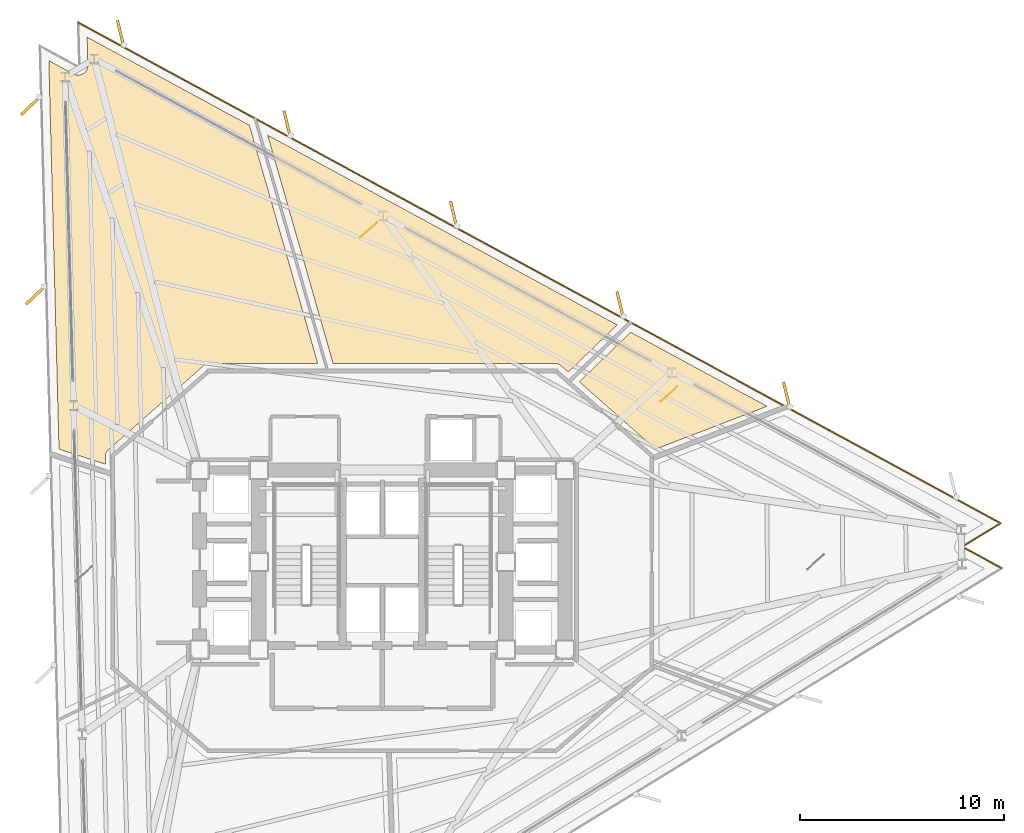
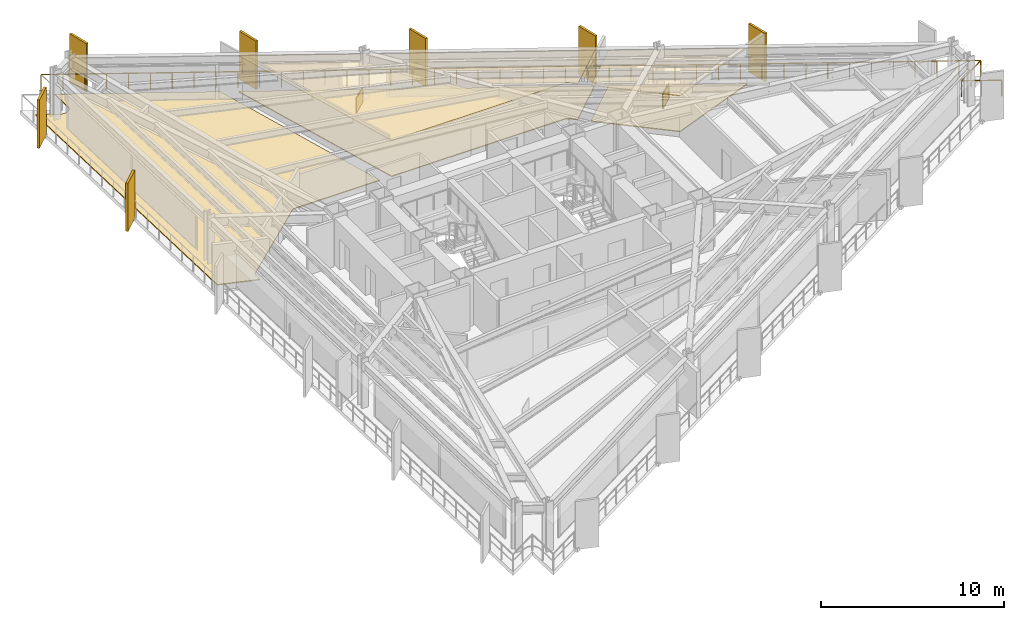
# One storey, part 14 of 14: 7 coverings, 7 shading devices, 1 railing.
"""IFC4 building model written with IfcOpenShell, lengths in metres."""

from ifc_helpers import new_model, si_unit, direction, frame, origin, origin_2d, place, context, subcontext, project, spatial, polyline, rectangle, outline, extrude, material, layer, layer_set, type_object, element, save


model = new_model("IFC4")

# Units and contexts
model_context = context("Model", 3, precision=1e-05, world=origin(), true_north=direction((0.0, 1.0)))
body_context = subcontext(model_context, "Body", "Model", "MODEL_VIEW")
ifc_project = project(units=[si_unit("LENGTHUNIT", "METRE"), si_unit("AREAUNIT", "SQUARE_METRE"), si_unit("VOLUMEUNIT", "CUBIC_METRE"), si_unit("PLANEANGLEUNIT", "RADIAN"), si_unit("MASSUNIT", "GRAM", prefix="KILO")], contexts=[model_context])

# Site, building, storey
site_placement = place(None, origin())
site = spatial("IfcSite", under=ifc_project, at=site_placement, CompositionType="ELEMENT")
building_placement = place(site_placement, origin())
building = spatial("IfcBuilding", under=site, at=building_placement, Name="Rocaltana Carrier Exchange", CompositionType="ELEMENT")
storey_placement = place(building_placement, frame((0.0, 0.0, 25.60009765625)))
storey = spatial("IfcBuildingStorey", under=building, at=storey_placement, Name="L08", CompositionType="ELEMENT", Elevation=25.60009765625)

# Coverings
ifc_material_1 = material(Name="Calcium Sulphate & Aluminium Pedestal", Category="aluminium")
ifc_layer_1 = layer(ifc_material_1, 0.06005859375)
ifc_layer_set_1 = layer_set([ifc_layer_1], Name="Calcium Sulphate & Aluminium Pedestal")
covering_type_1 = type_object("IfcCoveringType", Name="Anti-Static Raised Exchange Access Floor 60", PredefinedType="FLOORING", material=ifc_layer_set_1)
covering_1_placement = place(storey_placement, origin())
element("IfcCovering", 1, at=covering_1_placement, inside=storey, type_object=covering_type_1, Name="L08 Peering Conference Room Finish Floor", PredefinedType="FLOORING", context=body_context, shape_type="SweptSolid", body=[
    extrude(outline(polyline([(13.379638671875, 5.521484375), (9.64794921875, 8.816650390625), (12.16259765625, 11.2451171875), (18.842041015625, 7.618408203125), (13.379638671875, 5.521484375)])), origin(), (0.0, 0.0, 1.0), 0.059814453125),
])
covering_2_placement = place(storey_placement, origin())
element("IfcCovering", 2, at=covering_2_placement, inside=storey, type_object=covering_type_1, Name="L08 Network Operations Office Finish Floor", PredefinedType="FLOORING", context=body_context, shape_type="SweptSolid", body=[
    extrude(outline(polyline([(11.499267578125, 11.605224609375), (9.106689453125, 9.294677734375), (8.73828125, 9.619873046875), (8.727294921875, 9.629150390625), (8.720703125, 9.63427734375), (8.697265625, 9.651123046875), (8.690185546875, 9.655517578125), (8.6650390625, 9.669921875), (8.65771484375, 9.673583984375), (8.631103515625, 9.68505859375), (8.62353515625, 9.68798828125), (8.595947265625, 9.697021484375), (8.587890625, 9.698974609375), (8.5595703125, 9.704833984375), (8.551513671875, 9.706298828125), (8.522705078125, 9.709228515625), (8.514404296875, 9.709716796875), (8.5, 9.7099609375), (-2.409912109375, 9.7099609375), (-5.618408203125, 20.8994140625), (11.499267578125, 11.605224609375)])), origin(), (0.0, 0.0, 1.0), 0.059814453125),
])
covering_3_placement = place(storey_placement, origin())
element("IfcCovering", 3, at=covering_3_placement, inside=storey, type_object=covering_type_1, Name="L08 Quiet Focus Lounge Finish Floor", PredefinedType="FLOORING", context=body_context, shape_type="SweptSolid", body=[
    extrude(outline(polyline([(-16.333984375, 24.54931640625), (-15.131103515625, 23.896484375), (-15.118896484375, 23.889892578125), (-15.100830078125, 23.88134765625), (-15.0751953125, 23.87060546875), (-15.056396484375, 23.86376953125), (-15.02978515625, 23.855712890625), (-15.01025390625, 23.8505859375), (-14.98291015625, 23.84521484375), (-14.96337890625, 23.84228515625), (-14.935546875, 23.839599609375), (-14.91552734375, 23.83837890625), (-14.8876953125, 23.838623046875), (-14.86767578125, 23.839599609375), (-14.840087890625, 23.84228515625), (-14.8203125, 23.845458984375), (-14.79296875, 23.85107421875), (-14.773681640625, 23.85595703125), (-14.746826171875, 23.8642578125), (-14.728271484375, 23.87109375), (-14.702392578125, 23.8818359375), (-14.6845703125, 23.890625), (-14.659912109375, 23.90380859375), (-14.64306640625, 23.914306640625), (-14.6201171875, 23.93017578125), (-14.60400390625, 23.942138671875), (-14.582763671875, 23.960205078125), (-14.568115234375, 23.9736328125), (-14.548583984375, 23.99365234375), (-14.535400390625, 24.0087890625), (-14.51806640625, 24.030517578125), (-14.506591796875, 24.046630859375), (-14.491455078125, 24.0703125), (-14.4814453125, 24.08740234375), (-14.46875, 24.1123046875), (-14.460693359375, 24.130615234375), (-14.450439453125, 24.156494140625), (-14.444091796875, 24.17529296875), (-14.4365234375, 24.202392578125), (-14.43212890625, 24.2216796875), (-14.42724609375, 24.249267578125), (-14.4248046875, 24.26904296875), (-14.4228515625, 24.296875), (-14.42236328125, 24.31689453125), (-14.42236328125, 24.330810546875), (-14.458251953125, 25.698974609375), (-6.50537109375, 21.380859375), (-3.15869140625, 9.7099609375), (-8.5, 9.7099609375), (-8.514404296875, 9.709716796875), (-8.522705078125, 9.709228515625), (-8.551513671875, 9.706298828125), (-8.5595703125, 9.704833984375), (-8.587890625, 9.698974609375), (-8.595947265625, 9.697021484375), (-8.62353515625, 9.68798828125), (-8.631103515625, 9.68505859375), (-8.65771484375, 9.673583984375), (-8.6650390625, 9.669921875), (-8.690185546875, 9.655517578125), (-8.697265625, 9.651123046875), (-8.720703125, 9.63427734375), (-8.727294921875, 9.629150390625), (-8.73828125, 9.619873046875), (-13.438232421875, 5.469970703125), (-13.447998046875, 5.4609375), (-13.453369140625, 5.455810546875), (-13.471435546875, 5.436279296875), (-13.476318359375, 5.4306640625), (-13.492431640625, 5.409912109375), (-13.49658203125, 5.40380859375), (-13.5107421875, 5.38134765625), (-13.5146484375, 5.375), (-13.526611328125, 5.351318359375), (-13.529541015625, 5.344482421875), (-13.539306640625, 5.320068359375), (-13.541748046875, 5.31298828125), (-13.549072265625, 5.28759765625), (-13.55078125, 5.2802734375), (-13.555908203125, 5.25439453125), (-13.556884765625, 5.246826171875), (-13.559326171875, 5.220703125), (-13.559814453125, 5.213134765625), (-13.56005859375, 5.199951171875), (-13.56005859375, 4.784423828125), (-15.835693359375, 5.52392578125), (-16.333984375, 24.54931640625)])), origin(), (0.0, 0.0, 1.0), 0.059814453125),
])
ifc_material_2 = material(Name="Mineral Fibre & Powder-Coated Aluminium", Category="aluminium")
ifc_layer_2 = layer(ifc_material_2, 0.044921875)
ifc_layer_set_2 = layer_set([ifc_layer_2], Name="Mineral Fibre & Powder-Coated Aluminium")
covering_type_2 = type_object("IfcCoveringType", Name="Micro-Perforated Acoustic Ceiling 45", PredefinedType="CEILING", material=ifc_layer_set_2)
covering_4_placement = place(storey_placement, frame((0.0, 0.0, 2.40283203125)))
element("IfcCovering", 4, at=covering_4_placement, inside=storey, type_object=covering_type_2, Name="L08 Peering Conference Room Acoustic Ceiling", PredefinedType="CEILING", context=body_context, shape_type="SweptSolid", body=[
    extrude(outline(polyline([(13.379638671875, 5.521484375), (9.64794921875, 8.816650390625), (12.16259765625, 11.2451171875), (18.842041015625, 7.618408203125), (13.379638671875, 5.521484375)])), origin(), (0.0, 0.0, 1.0), 0.045166015625),
])
covering_5_placement = place(storey_placement, frame((0.0, 0.0, 2.40283203125)))
element("IfcCovering", 5, at=covering_5_placement, inside=storey, type_object=covering_type_2, Name="L08 Network Operations Office Acoustic Ceiling", PredefinedType="CEILING", context=body_context, shape_type="SweptSolid", body=[
    extrude(outline(polyline([(11.499267578125, 11.605224609375), (9.106689453125, 9.294677734375), (8.73828125, 9.619873046875), (8.727294921875, 9.629150390625), (8.720703125, 9.63427734375), (8.697265625, 9.651123046875), (8.690185546875, 9.655517578125), (8.6650390625, 9.669921875), (8.65771484375, 9.673583984375), (8.631103515625, 9.68505859375), (8.62353515625, 9.68798828125), (8.595947265625, 9.697021484375), (8.587890625, 9.698974609375), (8.5595703125, 9.704833984375), (8.551513671875, 9.706298828125), (8.522705078125, 9.709228515625), (8.514404296875, 9.709716796875), (8.5, 9.7099609375), (-2.409912109375, 9.7099609375), (-5.618408203125, 20.8994140625), (11.499267578125, 11.605224609375)])), origin(), (0.0, 0.0, 1.0), 0.045166015625),
])
ifc_material_3 = material(Name="Honed Piedra Muneca Sandstone", Category="masonry")
ifc_layer_3 = layer(ifc_material_3, 0.034912109375)
ifc_layer_set_3 = layer_set([ifc_layer_3], Name="Honed Piedra Muneca Sandstone")
covering_type_3 = type_object("IfcCoveringType", Name="Stone Facade Cladding 35", PredefinedType="CLADDING", material=ifc_layer_set_3)
for number, where, z_axis, x_axis, name in (
    (6, (14.03271484375, 8.217529296875, 0.0), (0.0, 0.0, 1.0), (0.743144825477, 0.669130606359, 0.0), "L08 Stone Facade Cladding Panel 5"),
    (7, (-0.672607421875, 16.252197265625, 0.0), (0.0, 0.0, 1.0), (0.743144825477, 0.669130606359, 0.0), "L08 Stone Facade Cladding Panel 6"),
):
    element("IfcCovering", number, at=place(storey_placement, frame(where, z_axis=z_axis, x_axis=x_axis)), inside=storey, type_object=covering_type_3, Name=name, PredefinedType="CLADDING", context=body_context, shape_type="SweptSolid", body=[
        extrude(rectangle(XDim=1.10009765625, YDim=0.034912109375, at=origin_2d()), origin(), (0.0, 0.0, 1.0), 1.050048828125),
    ])

# Shading devices
ifc_material_4 = material(Name="Honed Bogota Sandstone & Concrete C45/55", Category="masonry")
ifc_layer_4 = layer(ifc_material_4, 0.139892578125)
ifc_layer_set_4 = layer_set([ifc_layer_4], Name="Honed Bogota Sandstone & Concrete C45/55")
shading_device_type = type_object("IfcShadingDeviceType", Name="Vertical Sandstone Shading Fin 1320x140", PredefinedType="USERDEFINED", material=ifc_layer_set_4)
for number, where, z_axis, x_axis, name in (
    (8, (19.802001953125, 8.16748046875, -0.1201171875), (0.0, 0.0, 1.0), (-0.233445363856, 0.972369920398, 0.0), "L08 Sandstone Vertical Fin F1-02"),
    (9, (11.646484375, 12.595703125, -0.1201171875), (0.0, 0.0, 1.0), (-0.233445363856, 0.972369920398, 0.0), "L08 Sandstone Vertical Fin F1-03"),
    (10, (3.4912109375, 17.023681640625, -0.1201171875), (0.0, 0.0, 1.0), (-0.233445363856, 0.972369920398, 0.0), "L08 Sandstone Vertical Fin F1-04"),
    (11, (-4.664306640625, 21.45166015625, -0.1201171875), (0.0, 0.0, 1.0), (-0.233445363856, 0.972369920398, 0.0), "L08 Sandstone Vertical Fin F1-05"),
    (12, (-12.819580078125, 25.879638671875, -0.1201171875), (0.0, 0.0, 1.0), (-0.233445363856, 0.972369920398, 0.0), "L08 Sandstone Vertical Fin F1-06"),
    (13, (-17.21728515625, 22.342041015625, -0.1201171875), (0.0, 0.0, 1.0), (-0.725374371012, -0.688354575694, 0.0), "L08 Sandstone Vertical Fin F2-01"),
    (14, (-16.974365234375, 13.065185546875, -0.1201171875), (0.0, 0.0, 1.0), (-0.725374371012, -0.688354575694, 0.0), "L08 Sandstone Vertical Fin F2-02"),
):
    element("IfcShadingDevice", number, at=place(storey_placement, frame(where, z_axis=z_axis, x_axis=x_axis)), inside=storey, type_object=shading_device_type, Name=name, ObjectType="FIN", PredefinedType="USERDEFINED", context=body_context, shape_type="SweptSolid", body=[
        extrude(rectangle(XDim=1.320068359375, YDim=0.139892578125, at=origin_2d()), origin(), (0.0, 0.0, 1.0), 3.218017578125),
    ])

# Railing
ifc_material_5 = material(Name="Powder-Coated Aluminium 6063-T6", Category="aluminium")
ifc_layer_5 = layer(ifc_material_5, 0.06005859375)
ifc_layer_set_5 = layer_set([ifc_layer_5], Name="Powder-Coated Aluminium 6063-T6")
railing_type = type_object("IfcRailingType", Name="Wind-Floor & Terrace Perimeter Guardrail 1100", PredefinedType="GUARDRAIL", material=ifc_layer_set_5)
railing_placement = place(storey_placement, frame((-14.897216796875, 26.415283203125, 0.0)))
element("IfcRailing", 15, at=railing_placement, inside=storey, type_object=railing_type, Name="L08 Perimeter Balcony Guardrail 3", PredefinedType="GUARDRAIL", context=body_context, shape_type="SweptSolid", body=[
    extrude(rectangle(XDim=0.048095703125, YDim=0.048095703125, at=origin_2d()), frame((0.0, 0.0, 1.076171875), z_axis=(0.878817120119, -0.477158746526, 0.0), x_axis=(0.477158746526, 0.878817120119, 0.0)), (0.0, 0.0, 1.0), 51.39208984375),
    extrude(rectangle(XDim=0.048095703125, YDim=0.048095703125, at=origin_2d()), frame((45.164306640625, -24.522216796875, 1.076171875), z_axis=(-0.852598062579, -0.522567262356, 0.0), x_axis=(0.522567262356, -0.852598062579, 0.0)), (0.0, 0.0, 1.0), 2.199951171875),
    extrude(rectangle(XDim=0.048095703125, YDim=0.048095703125, at=origin_2d()), frame((43.28857421875, -25.671875, 1.076171875), z_axis=(0.878801578058, -0.477187370331, 0.0), x_axis=(0.477187370331, 0.878801578058, 0.0)), (0.0, 0.0, 1.0), 2.199951171875),
    extrude(rectangle(XDim=0.0419921875, YDim=0.0419921875, at=origin_2d()), origin(), (0.0, 0.0, 1.0), 1.052001953125),
    extrude(rectangle(XDim=0.0419921875, YDim=0.0419921875, at=origin_2d()), frame((1.05029296875, -0.5703125, 0.0)), (0.0, 0.0, 1.0), 1.052001953125),
    extrude(rectangle(XDim=0.0419921875, YDim=0.0419921875, at=origin_2d()), frame((2.1005859375, -1.140625, 0.0)), (0.0, 0.0, 1.0), 1.052001953125),
    extrude(rectangle(XDim=0.0419921875, YDim=0.0419921875, at=origin_2d()), frame((3.15087890625, -1.7109375, 0.0)), (0.0, 0.0, 1.0), 1.052001953125),
    extrude(rectangle(XDim=0.0419921875, YDim=0.0419921875, at=origin_2d()), frame((4.201416015625, -2.28125, 0.0)), (0.0, 0.0, 1.0), 1.052001953125),
    extrude(rectangle(XDim=0.0419921875, YDim=0.0419921875, at=origin_2d()), frame((5.251708984375, -2.851318359375, 0.0)), (0.0, 0.0, 1.0), 1.052001953125),
    extrude(rectangle(XDim=0.0419921875, YDim=0.0419921875, at=origin_2d()), frame((6.302001953125, -3.421630859375, 0.0)), (0.0, 0.0, 1.0), 1.052001953125),
    extrude(rectangle(XDim=0.0419921875, YDim=0.0419921875, at=origin_2d()), frame((7.352294921875, -3.991943359375, 0.0)), (0.0, 0.0, 1.0), 1.052001953125),
    extrude(rectangle(XDim=0.0419921875, YDim=0.0419921875, at=origin_2d()), frame((8.402587890625, -4.562255859375, 0.0)), (0.0, 0.0, 1.0), 1.052001953125),
    extrude(rectangle(XDim=0.0419921875, YDim=0.0419921875, at=origin_2d()), frame((9.452880859375, -5.132568359375, 0.0)), (0.0, 0.0, 1.0), 1.052001953125),
    extrude(rectangle(XDim=0.0419921875, YDim=0.0419921875, at=origin_2d()), frame((10.50341796875, -5.702880859375, 0.0)), (0.0, 0.0, 1.0), 1.052001953125),
    extrude(rectangle(XDim=0.0419921875, YDim=0.0419921875, at=origin_2d()), frame((11.5537109375, -6.273193359375, 0.0)), (0.0, 0.0, 1.0), 1.052001953125),
    extrude(rectangle(XDim=0.0419921875, YDim=0.0419921875, at=origin_2d()), frame((12.60400390625, -6.843505859375, 0.0)), (0.0, 0.0, 1.0), 1.052001953125),
    extrude(rectangle(XDim=0.0419921875, YDim=0.0419921875, at=origin_2d()), frame((13.654296875, -7.41357421875, 0.0)), (0.0, 0.0, 1.0), 1.052001953125),
    extrude(rectangle(XDim=0.0419921875, YDim=0.0419921875, at=origin_2d()), frame((14.70458984375, -7.98388671875, 0.0)), (0.0, 0.0, 1.0), 1.052001953125),
    extrude(rectangle(XDim=0.0419921875, YDim=0.0419921875, at=origin_2d()), frame((15.7548828125, -8.55419921875, 0.0)), (0.0, 0.0, 1.0), 1.052001953125),
    extrude(rectangle(XDim=0.0419921875, YDim=0.0419921875, at=origin_2d()), frame((16.805419921875, -9.12451171875, 0.0)), (0.0, 0.0, 1.0), 1.052001953125),
    extrude(rectangle(XDim=0.0419921875, YDim=0.0419921875, at=origin_2d()), frame((17.855712890625, -9.69482421875, 0.0)), (0.0, 0.0, 1.0), 1.052001953125),
    extrude(rectangle(XDim=0.0419921875, YDim=0.0419921875, at=origin_2d()), frame((18.906005859375, -10.26513671875, 0.0)), (0.0, 0.0, 1.0), 1.052001953125),
    extrude(rectangle(XDim=0.0419921875, YDim=0.0419921875, at=origin_2d()), frame((19.956298828125, -10.83544921875, 0.0)), (0.0, 0.0, 1.0), 1.052001953125),
    extrude(rectangle(XDim=0.0419921875, YDim=0.0419921875, at=origin_2d()), frame((21.006591796875, -11.40576171875, 0.0)), (0.0, 0.0, 1.0), 1.052001953125),
    extrude(rectangle(XDim=0.0419921875, YDim=0.0419921875, at=origin_2d()), frame((22.056884765625, -11.97607421875, 0.0)), (0.0, 0.0, 1.0), 1.052001953125),
    extrude(rectangle(XDim=0.0419921875, YDim=0.0419921875, at=origin_2d()), frame((23.107421875, -12.546142578125, 0.0)), (0.0, 0.0, 1.0), 1.052001953125),
    extrude(rectangle(XDim=0.0419921875, YDim=0.0419921875, at=origin_2d()), frame((24.15771484375, -13.116455078125, 0.0)), (0.0, 0.0, 1.0), 1.052001953125),
    extrude(rectangle(XDim=0.0419921875, YDim=0.0419921875, at=origin_2d()), frame((25.2080078125, -13.686767578125, 0.0)), (0.0, 0.0, 1.0), 1.052001953125),
    extrude(rectangle(XDim=0.0419921875, YDim=0.0419921875, at=origin_2d()), frame((26.25830078125, -14.257080078125, 0.0)), (0.0, 0.0, 1.0), 1.052001953125),
    extrude(rectangle(XDim=0.0419921875, YDim=0.0419921875, at=origin_2d()), frame((27.30859375, -14.827392578125, 0.0)), (0.0, 0.0, 1.0), 1.052001953125),
    extrude(rectangle(XDim=0.0419921875, YDim=0.0419921875, at=origin_2d()), frame((28.35888671875, -15.397705078125, 0.0)), (0.0, 0.0, 1.0), 1.052001953125),
    extrude(rectangle(XDim=0.0419921875, YDim=0.0419921875, at=origin_2d()), frame((29.409423828125, -15.968017578125, 0.0)), (0.0, 0.0, 1.0), 1.052001953125),
    extrude(rectangle(XDim=0.0419921875, YDim=0.0419921875, at=origin_2d()), frame((30.459716796875, -16.538330078125, 0.0)), (0.0, 0.0, 1.0), 1.052001953125),
    extrude(rectangle(XDim=0.0419921875, YDim=0.0419921875, at=origin_2d()), frame((31.510009765625, -17.108642578125, 0.0)), (0.0, 0.0, 1.0), 1.052001953125),
    extrude(rectangle(XDim=0.0419921875, YDim=0.0419921875, at=origin_2d()), frame((32.560302734375, -17.6787109375, 0.0)), (0.0, 0.0, 1.0), 1.052001953125),
    extrude(rectangle(XDim=0.0419921875, YDim=0.0419921875, at=origin_2d()), frame((33.610595703125, -18.2490234375, 0.0)), (0.0, 0.0, 1.0), 1.052001953125),
    extrude(rectangle(XDim=0.0419921875, YDim=0.0419921875, at=origin_2d()), frame((34.660888671875, -18.8193359375, 0.0)), (0.0, 0.0, 1.0), 1.052001953125),
    extrude(rectangle(XDim=0.0419921875, YDim=0.0419921875, at=origin_2d()), frame((35.71142578125, -19.3896484375, 0.0)), (0.0, 0.0, 1.0), 1.052001953125),
    extrude(rectangle(XDim=0.0419921875, YDim=0.0419921875, at=origin_2d()), frame((36.76171875, -19.9599609375, 0.0)), (0.0, 0.0, 1.0), 1.052001953125),
    extrude(rectangle(XDim=0.0419921875, YDim=0.0419921875, at=origin_2d()), frame((37.81201171875, -20.5302734375, 0.0)), (0.0, 0.0, 1.0), 1.052001953125),
    extrude(rectangle(XDim=0.0419921875, YDim=0.0419921875, at=origin_2d()), frame((38.8623046875, -21.1005859375, 0.0)), (0.0, 0.0, 1.0), 1.052001953125),
    extrude(rectangle(XDim=0.0419921875, YDim=0.0419921875, at=origin_2d()), frame((39.91259765625, -21.6708984375, 0.0)), (0.0, 0.0, 1.0), 1.052001953125),
    extrude(rectangle(XDim=0.0419921875, YDim=0.0419921875, at=origin_2d()), frame((40.962890625, -22.240966796875, 0.0)), (0.0, 0.0, 1.0), 1.052001953125),
    extrude(rectangle(XDim=0.0419921875, YDim=0.0419921875, at=origin_2d()), frame((42.013427734375, -22.811279296875, 0.0)), (0.0, 0.0, 1.0), 1.052001953125),
    extrude(rectangle(XDim=0.0419921875, YDim=0.0419921875, at=origin_2d()), frame((43.063720703125, -23.381591796875, 0.0)), (0.0, 0.0, 1.0), 1.052001953125),
    extrude(rectangle(XDim=0.0419921875, YDim=0.0419921875, at=origin_2d()), frame((44.114013671875, -23.951904296875, 0.0)), (0.0, 0.0, 1.0), 1.052001953125),
    extrude(rectangle(XDim=0.0419921875, YDim=0.0419921875, at=origin_2d()), frame((45.164306640625, -24.522216796875, 0.0)), (0.0, 0.0, 1.0), 1.052001953125),
    extrude(rectangle(XDim=0.0419921875, YDim=0.0419921875, at=origin_2d()), frame((44.2265625, -25.09716796875, 0.0)), (0.0, 0.0, 1.0), 1.052001953125),
    extrude(rectangle(XDim=0.0419921875, YDim=0.0419921875, at=origin_2d()), frame((43.28857421875, -25.671875, 0.0)), (0.0, 0.0, 1.0), 1.052001953125),
    extrude(rectangle(XDim=0.0419921875, YDim=0.0419921875, at=origin_2d()), frame((44.25537109375, -26.19677734375, 0.0)), (0.0, 0.0, 1.0), 1.052001953125),
    extrude(rectangle(XDim=0.0419921875, YDim=0.0419921875, at=origin_2d()), frame((45.221923828125, -26.7216796875, 0.0)), (0.0, 0.0, 1.0), 1.052001953125),
])

save(model, "model.ifc")
